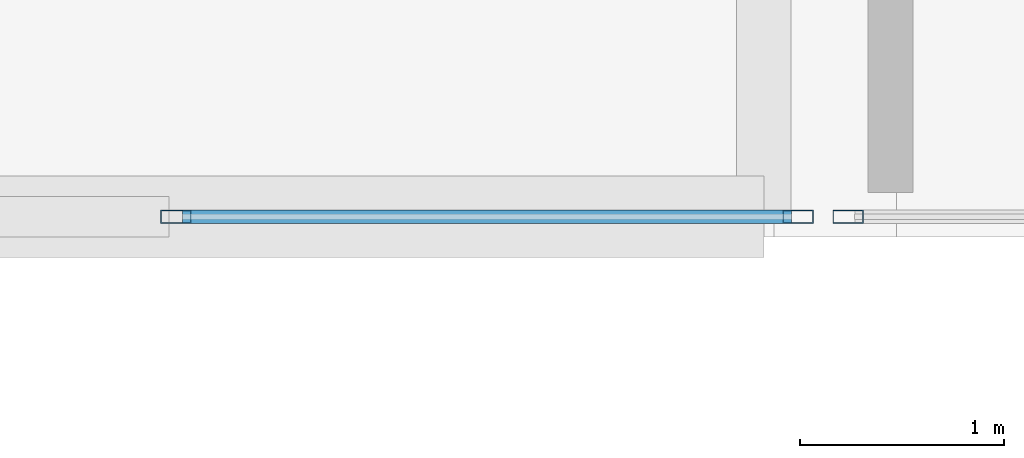
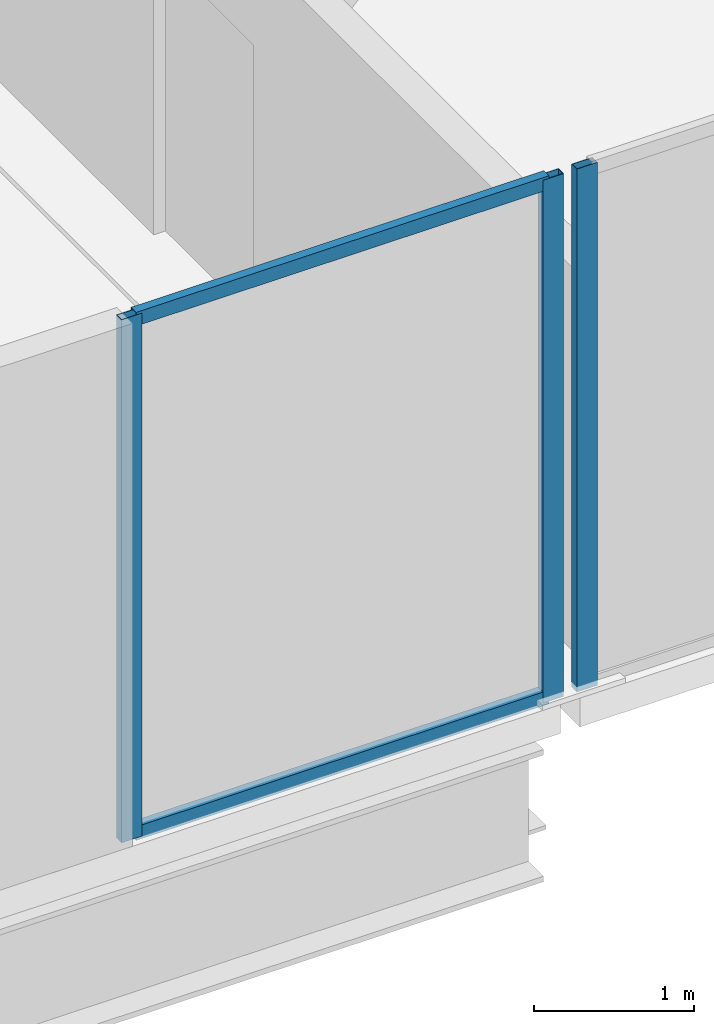
# One storey, part 21 of 51: 5 members, 2 elements without a shape of their own.
"""IFC4 building model written with IfcOpenShell, lengths in metres."""

from ifc_helpers import new_model, si_unit, direction, frame, origin, origin_2d, place, context, subcontext, project, spatial, hollow_rectangle, extrude, material, material_profile, profile_set, type_object, element, aggregate, save


model = new_model("IFC4")

# Units and contexts
model_context = context("Model", 3, precision=1e-05, world=origin(), true_north=direction((0.0, 1.0)))
body_context = subcontext(model_context, "Body", "Model", "MODEL_VIEW")
ifc_project = project(units=[si_unit("LENGTHUNIT", "METRE"), si_unit("AREAUNIT", "SQUARE_METRE"), si_unit("VOLUMEUNIT", "CUBIC_METRE"), si_unit("PLANEANGLEUNIT", "RADIAN"), si_unit("MASSUNIT", "GRAM", prefix="KILO")], contexts=[model_context])

# Site, building, storey
site_placement = place(None, origin())
site = spatial("IfcSite", under=ifc_project, at=site_placement, CompositionType="ELEMENT")
building_placement = place(site_placement, origin())
building = spatial("IfcBuilding", under=site, at=building_placement, Name="Tashvorn Skyway Center", CompositionType="ELEMENT")
storey_placement = place(building_placement, frame((0.0, 0.0, 251.39990234375)))
storey = spatial("IfcBuildingStorey", under=building, at=storey_placement, Name="L68", CompositionType="ELEMENT", Elevation=251.39990234375)

# Curtain wall, members
ifc_material = material(Name="Thermally broken bronze-anodized aluminium 6063-T6", Category="aluminium")
curtain_wall_type = type_object("IfcCurtainWallType", Name="CW-CW-SKY", PredefinedType="NOTDEFINED", material=ifc_material)
curtain_wall_1_placement = place(storey_placement, origin())
curtain_wall_1 = element("IfcCurtainWall", 1, at=curtain_wall_1_placement, inside=storey, type_object=curtain_wall_type, Name="Sky-Park L68 Bridge South Curtain Wall Glazing Group 1", PredefinedType="NOTDEFINED")
ifc_material_profile_1 = material_profile(ifc_material, hollow_rectangle(XDim=0.06494140625, YDim=0.14990234375, WallThickness=0.00390625, at=origin_2d()), Name="ALU-MULL-65x150")
ifc_profile_set_1 = profile_set([ifc_material_profile_1], Name="Thermally broken bronze-anodized aluminium 6063-T6")
member_type_1 = type_object("IfcMemberType", Name="CWM-CW-SKY", PredefinedType="MULLION", material=ifc_profile_set_1)
member_1_placement = place(storey_placement, frame((94.66748046875, 24.10009765625, 0.0), z_axis=(0.0, 0.0, 1.0), x_axis=(0.0, -1.0, 0.0)))
member_1 = element("IfcMember", 2, at=member_1_placement, type_object=member_type_1, Name="CW-SKY mullion 1", PredefinedType="MULLION", context=body_context, shape_type="SweptSolid", body=[
    extrude(hollow_rectangle(XDim=0.06494140625, YDim=0.14990234375, WallThickness=0.00390625, at=origin_2d()), origin(), (0.0, 0.0, 1.0), 4.0),
])
member_2_placement = place(storey_placement, frame((91.617431640625, 24.10009765625, 0.0), z_axis=(0.0, 0.0, 1.0), x_axis=(0.0, -1.0, 0.0)))
member_2 = element("IfcMember", 3, at=member_2_placement, type_object=member_type_1, Name="CW-SKY mullion 2", PredefinedType="MULLION", context=body_context, shape_type="SweptSolid", body=[
    extrude(hollow_rectangle(XDim=0.06494140625, YDim=0.14990234375, WallThickness=0.00390625, at=origin_2d()), origin(), (0.0, 0.0, 1.0), 4.0),
])

# Curtain wall, member
curtain_wall_2_placement = place(storey_placement, origin())
curtain_wall_2 = element("IfcCurtainWall", 4, at=curtain_wall_2_placement, inside=storey, type_object=curtain_wall_type, Name="Tower 2 L68 Vestibule South Curtain Wall", PredefinedType="NOTDEFINED")
member_3_placement = place(storey_placement, frame((94.91259765625, 24.10009765625, 0.0), z_axis=(0.0, 0.0, 1.0), x_axis=(0.0, -1.0, 0.0)))
member_3 = element("IfcMember", 5, at=member_3_placement, type_object=member_type_1, Name="CW-SKY mullion 2", PredefinedType="MULLION", context=body_context, shape_type="SweptSolid", body=[
    extrude(hollow_rectangle(XDim=0.06494140625, YDim=0.14990234375, WallThickness=0.00390625, at=origin_2d()), origin(), (0.0, 0.0, 1.0), 4.0),
])
aggregate(curtain_wall_2, [member_3])

# Member
ifc_material_profile_2 = material_profile(ifc_material, hollow_rectangle(XDim=0.06494140625, YDim=0.10498046875, WallThickness=0.00390625, at=origin_2d()), Name="ALU-TRAN-65x105")
ifc_profile_set_2 = profile_set([ifc_material_profile_2], Name="Thermally broken bronze-anodized aluminium 6063-T6")
member_type_2 = type_object("IfcMemberType", Name="CWT-CW-SKY", PredefinedType="USERDEFINED", material=ifc_profile_set_2)
member_4_placement = place(storey_placement, frame((94.635009765625, 24.10009765625, 0.03271484375), z_axis=(-1.0, 0.0, 0.0), x_axis=(0.0, -1.0, 0.0)))
member_4 = element("IfcMember", 6, at=member_4_placement, type_object=member_type_2, Name="CW-SKY transom 1.1", ObjectType="TRANSOM", PredefinedType="USERDEFINED", context=body_context, shape_type="SweptSolid", body=[
    extrude(hollow_rectangle(XDim=0.06494140625, YDim=0.10498046875, WallThickness=0.00390625, at=origin_2d()), origin(), (0.0, 0.0, 1.0), 2.985107421875),
])

member_5_placement = place(storey_placement, frame((94.635009765625, 24.10009765625, 3.967529296875), z_axis=(-1.0, 0.0, 0.0), x_axis=(0.0, -1.0, 0.0)))
member_5 = element("IfcMember", 7, at=member_5_placement, type_object=member_type_2, Name="CW-SKY transom 1.2", ObjectType="TRANSOM", PredefinedType="USERDEFINED", context=body_context, shape_type="SweptSolid", body=[
    extrude(hollow_rectangle(XDim=0.06494140625, YDim=0.10498046875, WallThickness=0.00390625, at=origin_2d()), origin(), (0.0, 0.0, 1.0), 2.985107421875),
])

aggregate(curtain_wall_1, [member_1, member_2, member_4, member_5])

save(model, "model.ifc")
